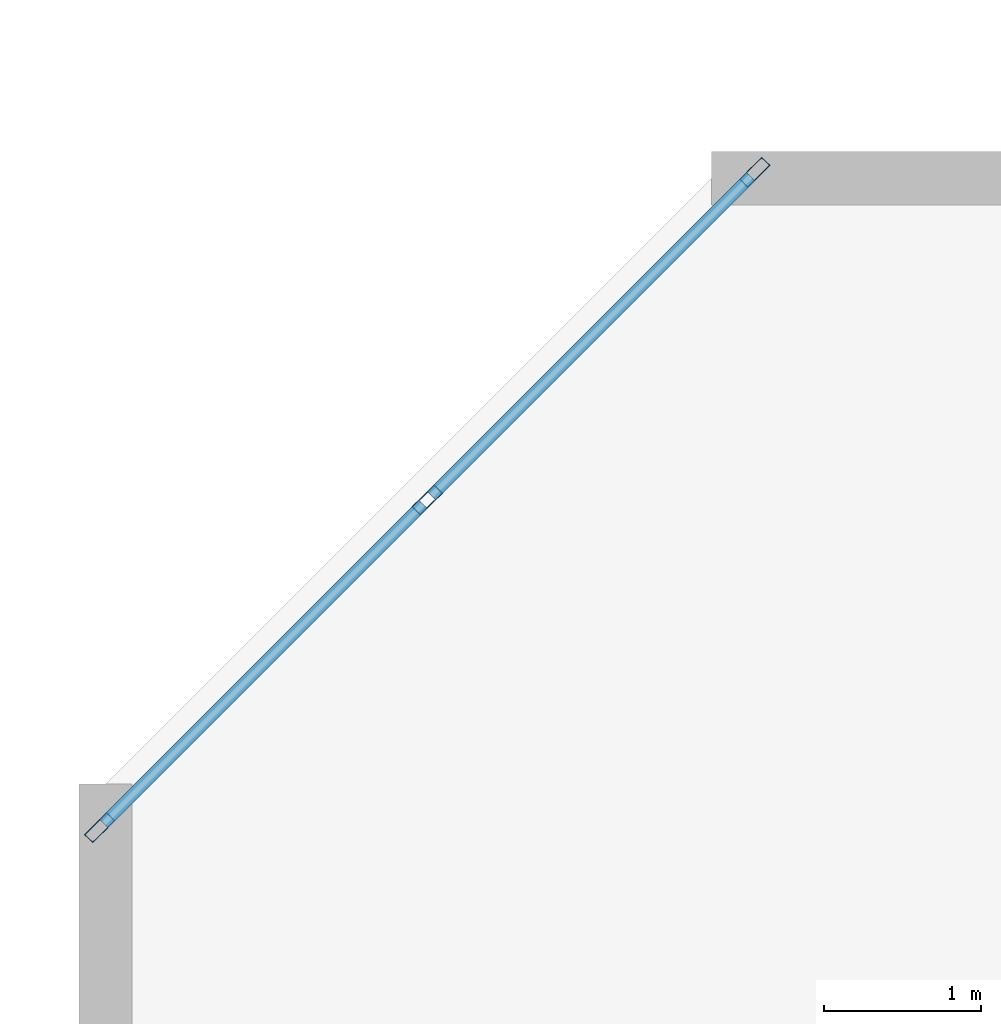
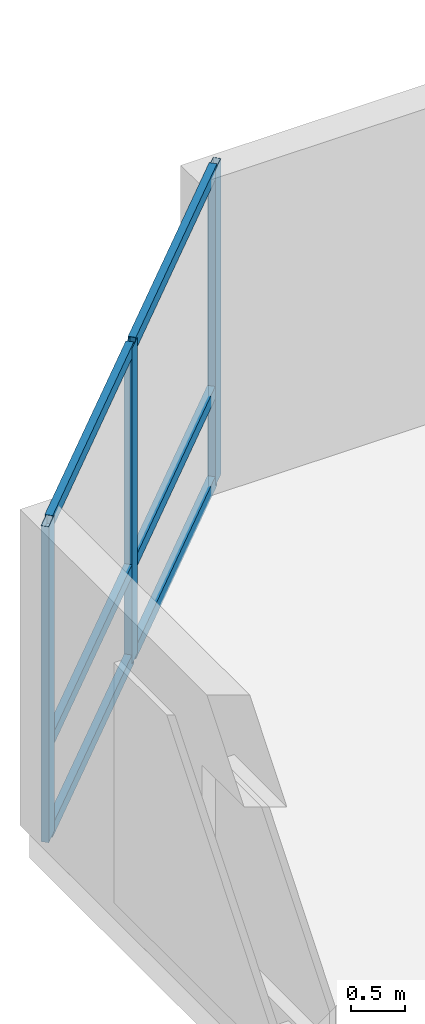
# One storey, part 3 of 12: 9 members, 1 element without a shape of its own.
"""IFC4 building model written with IfcOpenShell, lengths in metres."""

from ifc_helpers import new_model, si_unit, direction, frame, origin, origin_2d, place, context, subcontext, project, spatial, hollow_rectangle, extrude, material, layer, layer_set, material_profile, profile_set, type_object, element, aggregate, save


model = new_model("IFC4")

# Units and contexts
model_context = context("Model", 3, precision=1e-05, world=origin(), true_north=direction((0.0, 1.0)))
body_context = subcontext(model_context, "Body", "Model", "MODEL_VIEW")
ifc_project = project(units=[si_unit("LENGTHUNIT", "METRE"), si_unit("AREAUNIT", "SQUARE_METRE"), si_unit("VOLUMEUNIT", "CUBIC_METRE"), si_unit("PLANEANGLEUNIT", "RADIAN"), si_unit("MASSUNIT", "GRAM", prefix="KILO")], contexts=[model_context])

# Site, building, storey
site_placement = place(None, origin())
site = spatial("IfcSite", under=ifc_project, at=site_placement, CompositionType="ELEMENT")
building_placement = place(site_placement, origin())
building = spatial("IfcBuilding", under=site, at=building_placement, Name="Kestravale Grand Hotel", CompositionType="ELEMENT")
storey_placement = place(building_placement, frame((0.0, 0.0, 41.199951171875)))
storey = spatial("IfcBuildingStorey", under=building, at=storey_placement, Name="L09", CompositionType="ELEMENT", Elevation=41.199951171875)

# Curtain wall, members
ifc_material_1 = material(Name="Thermally broken champagne-bronze aluminium and low-E glazing", Category="aluminium")
ifc_layer = layer(ifc_material_1, 0.199951171875)
ifc_layer_set = layer_set([ifc_layer], Name="CW-Z1")
curtain_wall_type = type_object("IfcCurtainWallType", Name="CW-Z1", PredefinedType="NOTDEFINED", material=ifc_layer_set)
curtain_wall_placement = place(storey_placement, origin())
curtain_wall = element("IfcCurtainWall", 1, at=curtain_wall_placement, inside=storey, type_object=curtain_wall_type, Name="L09 unitised curtain wall 18", PredefinedType="NOTDEFINED")
ifc_material_2 = material(Name="Aluminium 6063-T6 anodised", Category="aluminium")
ifc_material_profile_1 = material_profile(ifc_material_2, hollow_rectangle(XDim=0.074951171875, YDim=0.199951171875, WallThickness=0.00390625, at=origin_2d()))
ifc_profile_set_1 = profile_set([ifc_material_profile_1], Name="Aluminium 6063-T6 anodised")
member_type_1 = type_object("IfcMemberType", Name="CW-MUL-200", PredefinedType="MULLION", material=ifc_profile_set_1)
member_1_placement = place(storey_placement, frame((6.707763671875, 46.0673828125, 0.0), z_axis=(0.0, 0.0, 1.0), x_axis=(0.707106781187, -0.707106781187, 0.0)))
member_1 = element("IfcMember", 2, at=member_1_placement, type_object=member_type_1, Name="CW-Z1 mullion 1", PredefinedType="MULLION", context=body_context, shape_type="SweptSolid", body=[
    extrude(hollow_rectangle(XDim=0.074951171875, YDim=0.199951171875, WallThickness=0.00390625, at=origin_2d()), origin(), (0.0, 0.0, 1.0), 3.5400390625),
])
member_2_placement = place(storey_placement, frame((4.6201171875, 43.979736328125, 0.0), z_axis=(0.0, 0.0, 1.0), x_axis=(0.707106781187, -0.707106781187, 0.0)))
member_2 = element("IfcMember", 3, at=member_2_placement, type_object=member_type_1, Name="CW-Z1 mullion 2", PredefinedType="MULLION", context=body_context, shape_type="SweptSolid", body=[
    extrude(hollow_rectangle(XDim=0.074951171875, YDim=0.199951171875, WallThickness=0.00390625, at=origin_2d()), origin(), (0.0, 0.0, 1.0), 3.5400390625),
])
member_3_placement = place(storey_placement, frame((2.532470703125, 41.89208984375, 0.0), z_axis=(0.0, 0.0, 1.0), x_axis=(0.707106781187, -0.707106781187, 0.0)))
member_3 = element("IfcMember", 4, at=member_3_placement, type_object=member_type_1, Name="CW-Z1 mullion 3", PredefinedType="MULLION", context=body_context, shape_type="SweptSolid", body=[
    extrude(hollow_rectangle(XDim=0.074951171875, YDim=0.199951171875, WallThickness=0.00390625, at=origin_2d()), origin(), (0.0, 0.0, 1.0), 3.5400390625),
])
ifc_material_3 = material(Name="Aluminium 6063-T6 anodised", Category="aluminium")
ifc_material_profile_2 = material_profile(ifc_material_3, hollow_rectangle(XDim=0.074951171875, YDim=0.139892578125, WallThickness=0.00341796875, at=origin_2d()))
ifc_profile_set_2 = profile_set([ifc_material_profile_2], Name="Aluminium 6063-T6 anodised")
member_type_2 = type_object("IfcMemberType", Name="CW-TRN-140", PredefinedType="USERDEFINED", material=ifc_profile_set_2)
member_4_placement = place(storey_placement, frame((6.681396484375, 46.041015625, 0.03759765625), z_axis=(-0.707106781187, -0.707106781187, 0.0), x_axis=(0.707106781187, -0.707106781187, 0.0)))
member_4 = element("IfcMember", 5, at=member_4_placement, type_object=member_type_2, Name="CW-Z1 transom 1.1", ObjectType="TRANSOM", PredefinedType="USERDEFINED", context=body_context, shape_type="SweptSolid", body=[
    extrude(hollow_rectangle(XDim=0.074951171875, YDim=0.139892578125, WallThickness=0.00341796875, at=origin_2d()), origin(), (0.0, 0.0, 1.0), 2.87744140625),
])
member_5_placement = place(storey_placement, frame((6.681396484375, 46.041015625, 1.050048828125), z_axis=(-0.707106781187, -0.707106781187, 0.0), x_axis=(0.707106781187, -0.707106781187, 0.0)))
member_5 = element("IfcMember", 6, at=member_5_placement, type_object=member_type_2, Name="CW-Z1 transom 1.2", ObjectType="TRANSOM", PredefinedType="USERDEFINED", context=body_context, shape_type="SweptSolid", body=[
    extrude(hollow_rectangle(XDim=0.074951171875, YDim=0.139892578125, WallThickness=0.00341796875, at=origin_2d()), origin(), (0.0, 0.0, 1.0), 2.87744140625),
])
member_6_placement = place(storey_placement, frame((6.681396484375, 46.041015625, 3.50244140625), z_axis=(-0.707106781187, -0.707106781187, 0.0), x_axis=(0.707106781187, -0.707106781187, 0.0)))
member_6 = element("IfcMember", 7, at=member_6_placement, type_object=member_type_2, Name="CW-Z1 transom 1.3", ObjectType="TRANSOM", PredefinedType="USERDEFINED", context=body_context, shape_type="SweptSolid", body=[
    extrude(hollow_rectangle(XDim=0.074951171875, YDim=0.139892578125, WallThickness=0.00341796875, at=origin_2d()), origin(), (0.0, 0.0, 1.0), 2.87744140625),
])
member_7_placement = place(storey_placement, frame((4.59375, 43.953369140625, 0.03759765625), z_axis=(-0.707106781187, -0.707106781187, 0.0), x_axis=(0.707106781187, -0.707106781187, 0.0)))
member_7 = element("IfcMember", 8, at=member_7_placement, type_object=member_type_2, Name="CW-Z1 transom 2.1", ObjectType="TRANSOM", PredefinedType="USERDEFINED", context=body_context, shape_type="SweptSolid", body=[
    extrude(hollow_rectangle(XDim=0.074951171875, YDim=0.139892578125, WallThickness=0.00341796875, at=origin_2d()), origin(), (0.0, 0.0, 1.0), 2.87744140625),
])
member_8_placement = place(storey_placement, frame((4.59375, 43.953369140625, 1.050048828125), z_axis=(-0.707106781187, -0.707106781187, 0.0), x_axis=(0.707106781187, -0.707106781187, 0.0)))
member_8 = element("IfcMember", 9, at=member_8_placement, type_object=member_type_2, Name="CW-Z1 transom 2.2", ObjectType="TRANSOM", PredefinedType="USERDEFINED", context=body_context, shape_type="SweptSolid", body=[
    extrude(hollow_rectangle(XDim=0.074951171875, YDim=0.139892578125, WallThickness=0.00341796875, at=origin_2d()), origin(), (0.0, 0.0, 1.0), 2.87744140625),
])
member_9_placement = place(storey_placement, frame((4.59375, 43.953369140625, 3.50244140625), z_axis=(-0.707106781187, -0.707106781187, 0.0), x_axis=(0.707106781187, -0.707106781187, 0.0)))
member_9 = element("IfcMember", 10, at=member_9_placement, type_object=member_type_2, Name="CW-Z1 transom 2.3", ObjectType="TRANSOM", PredefinedType="USERDEFINED", context=body_context, shape_type="SweptSolid", body=[
    extrude(hollow_rectangle(XDim=0.074951171875, YDim=0.139892578125, WallThickness=0.00341796875, at=origin_2d()), origin(), (0.0, 0.0, 1.0), 2.87744140625),
])
aggregate(curtain_wall, [member_1, member_2, member_3, member_4, member_5, member_6, member_7, member_8, member_9])

save(model, "model.ifc")
